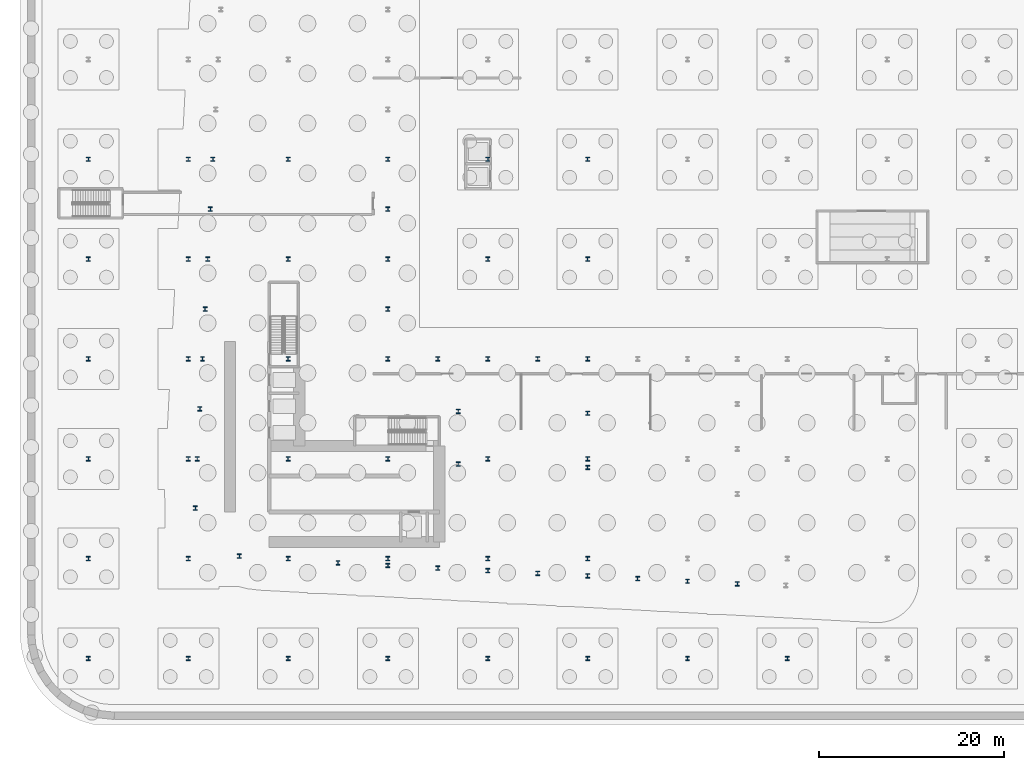
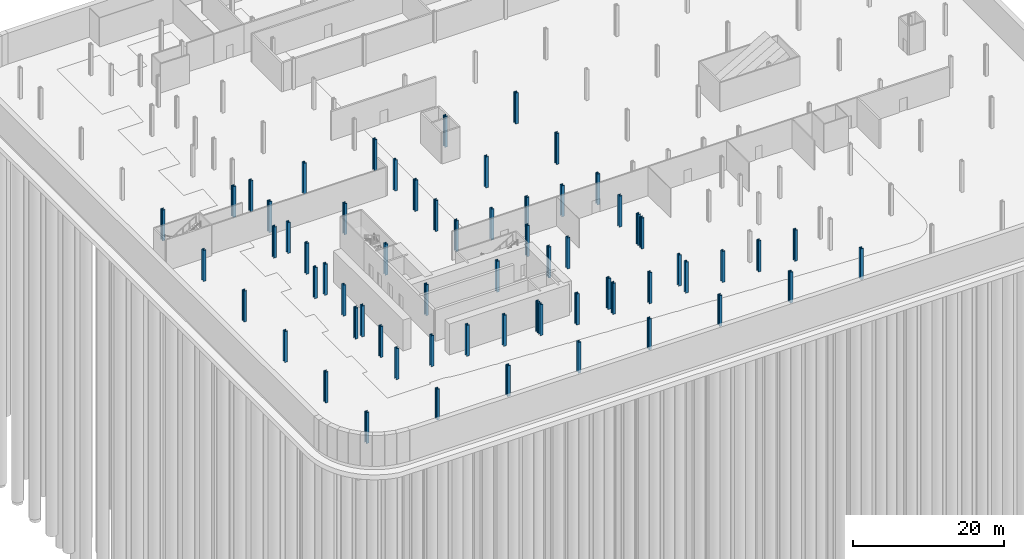
# One storey, part 4 of 23: 64 columns.
"""IFC4 building model written with IfcOpenShell, lengths in metres."""

from ifc_helpers import new_model, si_unit, direction, frame, origin, origin_2d, place, context, subcontext, project, spatial, i_section, extrude, material, material_profile, profile_set, type_object, element, save


model = new_model("IFC4")

# Units and contexts
model_context = context("Model", 3, precision=1e-05, world=origin(), true_north=direction((0.0, 1.0)))
body_context = subcontext(model_context, "Body", "Model", "MODEL_VIEW")
ifc_project = project(units=[si_unit("LENGTHUNIT", "METRE"), si_unit("AREAUNIT", "SQUARE_METRE"), si_unit("VOLUMEUNIT", "CUBIC_METRE"), si_unit("PLANEANGLEUNIT", "RADIAN"), si_unit("MASSUNIT", "GRAM", prefix="KILO")], contexts=[model_context])

# Site, building, storey
site_placement = place(None, origin())
site = spatial("IfcSite", under=ifc_project, at=site_placement, CompositionType="ELEMENT")
building_placement = place(site_placement, origin())
building = spatial("IfcBuilding", under=site, at=building_placement, Name="Kheshtan School and Residences Tower", CompositionType="ELEMENT")
storey_placement = place(building_placement, frame((0.0, 0.0, -15.0)))
storey = spatial("IfcBuildingStorey", under=building, at=storey_placement, Name="B3", CompositionType="ELEMENT", Elevation=-15.0)

# Columns
ifc_material = material(Name="Steel ASTM A992 Grade 50", Category="steel")
ifc_material_profile = material_profile(ifc_material, i_section(OverallWidth=0.424072265625, OverallDepth=0.47412109375, WebThickness=0.047607421875, FlangeThickness=0.0771484375, FilletRadius=0.01416015625, at=origin_2d()), Name="W360x634")
ifc_profile_set = profile_set([ifc_material_profile], Name="Steel ASTM A992 Grade 50")
column_type = type_object("IfcColumnType", Name="Column PC1 W360x634 ASTM A992 Grade 50", PredefinedType="COLUMN", material=ifc_profile_set)
for number, where, z_axis, x_axis, name in (
    (1, (15.199951171875, 13.199951171875, 0.0), (0.0, 0.0, 1.0), (1.0, 0.0, 0.0), "Column P-001"),
    (2, (26.0, 13.199951171875, 0.0), (0.0, 0.0, 1.0), (1.0, 0.0, 0.0), "Column P-002"),
    (3, (36.800048828125, 13.199951171875, 0.0), (0.0, 0.0, 1.0), (1.0, 0.0, 0.0), "Column P-003"),
    (4, (47.60009765625, 13.199951171875, 0.0), (0.0, 0.0, 1.0), (1.0, 0.0, 0.0), "Column P-004"),
    (5, (58.39990234375, 13.199951171875, 0.0), (0.0, 0.0, 1.0), (1.0, 0.0, 0.0), "Column P-005"),
    (6, (69.199951171875, 13.199951171875, 0.0), (0.0, 0.0, 1.0), (1.0, 0.0, 0.0), "Column P-006"),
    (7, (80.0, 13.199951171875, 0.0), (0.0, 0.0, 1.0), (1.0, 0.0, 0.0), "Column P-007"),
    (8, (90.800048828125, 13.199951171875, 0.0), (0.0, 0.0, 1.0), (1.0, 0.0, 0.0), "Column P-008"),
    (9, (15.199951171875, 24.0, 0.0), (0.0, 0.0, 1.0), (1.0, 0.0, 0.0), "Column P-013"),
    (10, (26.0, 24.0, 0.0), (0.0, 0.0, 1.0), (1.0, 0.0, 0.0), "Column P-014"),
    (11, (36.800048828125, 24.0, 0.0), (0.0, 0.0, 1.0), (1.0, 0.0, 0.0), "Column P-015"),
    (12, (47.60009765625, 24.0, 0.0), (0.0, 0.0, 1.0), (1.0, 0.0, 0.0), "Column P-016"),
    (13, (58.39990234375, 24.0, 0.0), (0.0, 0.0, 1.0), (1.0, 0.0, 0.0), "Column P-017"),
    (14, (69.199951171875, 24.0, 0.0), (0.0, 0.0, 1.0), (1.0, 0.0, 0.0), "Column P-018"),
    (15, (15.199951171875, 34.800048828125, 0.0), (0.0, 0.0, 1.0), (1.0, 0.0, 0.0), "Column P-025"),
    (16, (26.0, 34.800048828125, 0.0), (0.0, 0.0, 1.0), (1.0, 0.0, 0.0), "Column P-026"),
    (17, (36.800048828125, 34.800048828125, 0.0), (0.0, 0.0, 1.0), (1.0, 0.0, 0.0), "Column P-027"),
    (18, (47.60009765625, 34.800048828125, 0.0), (0.0, 0.0, 1.0), (1.0, 0.0, 0.0), "Column P-028"),
    (19, (58.39990234375, 34.800048828125, 0.0), (0.0, 0.0, 1.0), (1.0, 0.0, 0.0), "Column P-029"),
    (20, (69.199951171875, 34.800048828125, 0.0), (0.0, 0.0, 1.0), (1.0, 0.0, 0.0), "Column P-030"),
    (21, (15.199951171875, 45.60009765625, 0.0), (0.0, 0.0, 1.0), (1.0, 0.0, 0.0), "Column P-037"),
    (22, (26.0, 45.60009765625, 0.0), (0.0, 0.0, 1.0), (1.0, 0.0, 0.0), "Column P-038"),
    (23, (36.800048828125, 45.60009765625, 0.0), (0.0, 0.0, 1.0), (1.0, 0.0, 0.0), "Column P-039"),
    (24, (47.60009765625, 45.60009765625, 0.0), (0.0, 0.0, 1.0), (1.0, 0.0, 0.0), "Column P-040"),
    (25, (58.39990234375, 45.60009765625, 0.0), (0.0, 0.0, 1.0), (1.0, 0.0, 0.0), "Column P-041"),
    (26, (69.199951171875, 45.60009765625, 0.0), (0.0, 0.0, 1.0), (1.0, 0.0, 0.0), "Column P-042"),
    (27, (15.199951171875, 56.39990234375, 0.0), (0.0, 0.0, 1.0), (1.0, 0.0, 0.0), "Column P-049"),
    (28, (26.0, 56.39990234375, 0.0), (0.0, 0.0, 1.0), (1.0, 0.0, 0.0), "Column P-050"),
    (29, (36.800048828125, 56.39990234375, 0.0), (0.0, 0.0, 1.0), (1.0, 0.0, 0.0), "Column P-051"),
    (30, (47.60009765625, 56.39990234375, 0.0), (0.0, 0.0, 1.0), (1.0, 0.0, 0.0), "Column P-052"),
    (31, (58.39990234375, 56.39990234375, 0.0), (0.0, 0.0, 1.0), (1.0, 0.0, 0.0), "Column P-053"),
    (32, (69.199951171875, 56.39990234375, 0.0), (0.0, 0.0, 1.0), (1.0, 0.0, 0.0), "Column P-054"),
    (33, (15.199951171875, 67.199951171875, 0.0), (0.0, 0.0, 1.0), (1.0, 0.0, 0.0), "Column P-061"),
    (34, (26.0, 67.199951171875, 0.0), (0.0, 0.0, 1.0), (1.0, 0.0, 0.0), "Column P-062"),
    (35, (36.800048828125, 67.199951171875, 0.0), (0.0, 0.0, 1.0), (1.0, 0.0, 0.0), "Column P-063"),
    (36, (47.60009765625, 67.199951171875, 0.0), (0.0, 0.0, 1.0), (1.0, 0.0, 0.0), "Column P-064"),
    (37, (58.39990234375, 67.199951171875, 0.0), (0.0, 0.0, 1.0), (1.0, 0.0, 0.0), "Column P-065"),
    (38, (69.199951171875, 67.199951171875, 0.0), (0.0, 0.0, 1.0), (1.0, 0.0, 0.0), "Column P-066"),
    (39, (85.39990234375, 21.27001953125, 0.0), (0.0, 0.0, 1.0), (1.0, 0.0, 0.0), "Transfer column X02"),
    (40, (80.0, 21.56005859375, 0.0), (0.0, 0.0, 1.0), (1.0, 0.0, 0.0), "Transfer column X03"),
    (41, (74.60009765625, 21.840087890625, 0.0), (0.0, 0.0, 1.0), (1.0, 0.0, 0.0), "Transfer column X04"),
    (42, (69.199951171875, 22.1298828125, 0.0), (0.0, 0.0, 1.0), (1.0, 0.0, 0.0), "Transfer column X05"),
    (43, (63.800048828125, 22.409912109375, 0.0), (0.0, 0.0, 1.0), (1.0, 0.0, 0.0), "Transfer column X06"),
    (44, (58.39990234375, 22.699951171875, 0.0), (0.0, 0.0, 1.0), (1.0, 0.0, 0.0), "Transfer column X07"),
    (45, (53.0, 22.97998046875, 0.0), (0.0, 0.0, 1.0), (1.0, 0.0, 0.0), "Transfer column X08"),
    (46, (47.60009765625, 23.260009765625, 0.0), (0.0, 0.0, 1.0), (1.0, 0.0, 0.0), "Transfer column X09"),
    (47, (42.199951171875, 23.550048828125, 0.0), (0.0, 0.0, 1.0), (1.0, 0.0, 0.0), "Transfer column X10"),
    (48, (31.52001953125, 24.27001953125, 0.0), (0.0, 0.0, 1.0), (1.0, 0.0, 0.0), "Transfer column X11"),
    (49, (26.760009765625, 29.4599609375, 0.0), (0.0, 0.0, 1.0), (1.0, 0.0, 0.0), "Transfer column X12"),
    (50, (26.969970703125, 34.800048828125, 0.0), (0.0, 0.0, 1.0), (1.0, 0.0, 0.0), "Transfer column X13"),
    (51, (27.25, 40.199951171875, 0.0), (0.0, 0.0, 1.0), (1.0, 0.0, 0.0), "Transfer column X14"),
    (52, (27.5400390625, 45.60009765625, 0.0), (0.0, 0.0, 1.0), (1.0, 0.0, 0.0), "Transfer column X15"),
    (53, (53.0, 45.60009765625, 0.0), (0.0, 0.0, 1.0), (1.0, 0.0, 0.0), "Transfer column X16"),
    (54, (63.800048828125, 45.60009765625, 0.0), (0.0, 0.0, 1.0), (1.0, 0.0, 0.0), "Transfer column X17"),
    (55, (27.820068359375, 51.0, 0.0), (0.0, 0.0, 1.0), (1.0, 0.0, 0.0), "Transfer column X20"),
    (56, (47.60009765625, 51.0, 0.0), (0.0, 0.0, 1.0), (1.0, 0.0, 0.0), "Transfer column X21"),
    (57, (28.110107421875, 56.39990234375, 0.0), (0.0, 0.0, 1.0), (1.0, 0.0, 0.0), "Transfer column X22"),
    (58, (28.389892578125, 61.800048828125, 0.0), (0.0, 0.0, 1.0), (1.0, 0.0, 0.0), "Transfer column X23"),
    (59, (47.60009765625, 61.800048828125, 0.0), (0.0, 0.0, 1.0), (1.0, 0.0, 0.0), "Transfer column X24"),
    (60, (28.669921875, 67.199951171875, 0.0), (0.0, 0.0, 1.0), (1.0, 0.0, 0.0), "Transfer column X25"),
    (61, (69.199951171875, 33.860107421875, 0.0), (0.0, 0.0, 1.0), (1.0, 0.0, 0.0), "Transfer column X36"),
    (62, (55.199951171875, 34.22998046875, 0.0), (0.0, 0.0, 1.0), (1.0, 0.0, 0.0), "Transfer column X37"),
    (63, (69.199951171875, 39.72998046875, 0.0), (0.0, 0.0, 1.0), (1.0, 0.0, 0.0), "Transfer column X39"),
    (64, (55.199951171875, 39.919921875, 0.0), (0.0, 0.0, 1.0), (1.0, 0.0, 0.0), "Transfer column X40"),
):
    element("IfcColumn", number, at=place(storey_placement, frame(where, z_axis=z_axis, x_axis=x_axis)), inside=storey, type_object=column_type, Name=name, PredefinedType="COLUMN", context=body_context, shape_type="SweptSolid", body=[
        extrude(i_section(OverallWidth=0.424072265625, OverallDepth=0.47412109375, WebThickness=0.047607421875, FlangeThickness=0.0771484375, FilletRadius=0.01416015625, at=origin_2d()), origin(), (0.0, 0.0, 1.0), 5.0),
    ])

save(model, "model.ifc")
